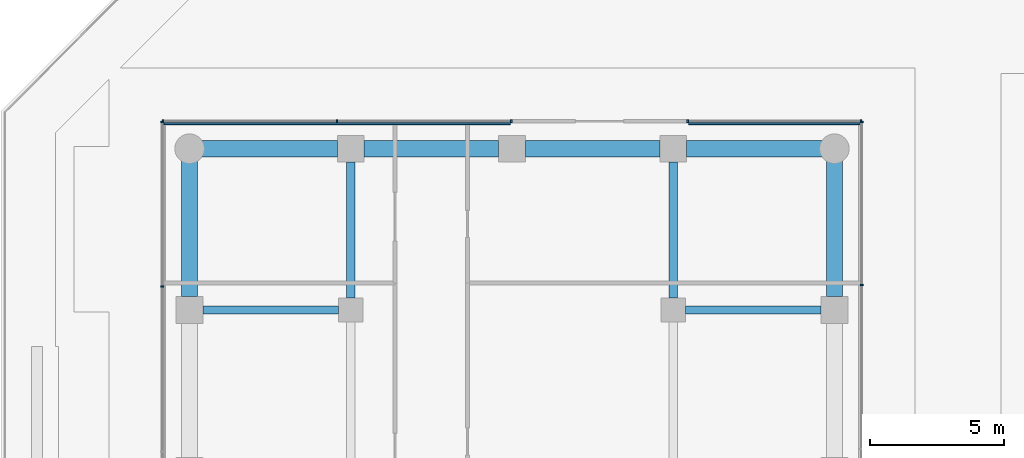
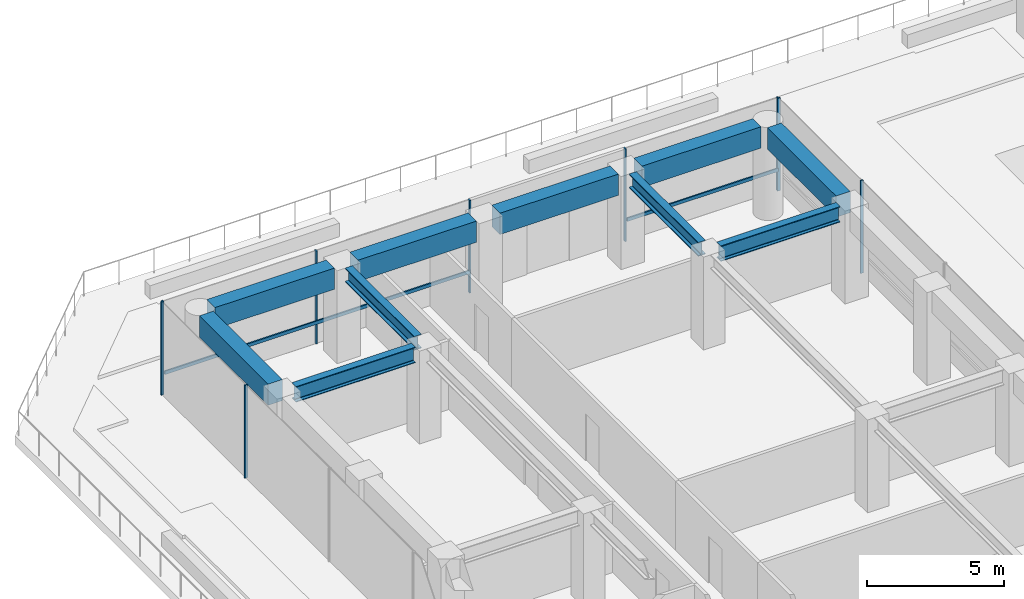
# One storey, part 21 of 31: 11 members, 10 beams, 4 elements without a shape of their own.
"""IFC4 building model written with IfcOpenShell, lengths in metres."""

from ifc_helpers import new_model, si_unit, direction, frame, origin, origin_2d, place, context, subcontext, project, spatial, rectangle, i_section, extrude, material, layer, layer_set, material_profile, profile_set, type_object, element, aggregate, save


model = new_model("IFC4")

# Units and contexts
model_context = context("Model", 3, precision=1e-05, world=origin(), true_north=direction((0.0, 1.0)))
body_context = subcontext(model_context, "Body", "Model", "MODEL_VIEW")
ifc_project = project(units=[si_unit("LENGTHUNIT", "METRE"), si_unit("AREAUNIT", "SQUARE_METRE"), si_unit("VOLUMEUNIT", "CUBIC_METRE"), si_unit("PLANEANGLEUNIT", "RADIAN"), si_unit("MASSUNIT", "GRAM", prefix="KILO")], contexts=[model_context])

# Site, building, storey
site_placement = place(None, origin())
site = spatial("IfcSite", under=ifc_project, at=site_placement, CompositionType="ELEMENT")
building_placement = place(site_placement, origin())
building = spatial("IfcBuilding", under=site, at=building_placement, Name="Welwitschia Terrace Campus", CompositionType="ELEMENT")
storey_placement = place(building_placement, frame((0.0, 0.0, 11.0)))
storey = spatial("IfcBuildingStorey", under=building, at=storey_placement, Name="L02", CompositionType="ELEMENT", Elevation=11.0)

# Beams
ifc_material_1 = material(Name="Steel S355", Category="steel")
ifc_material_profile_1 = material_profile(ifc_material_1, i_section(OverallWidth=0.304931640625, OverallDepth=0.6201171875, WebThickness=0.02099609375, FlangeThickness=0.0400390625, FilletRadius=0.027099609375, at=origin_2d()))
ifc_profile_set_1 = profile_set([ifc_material_profile_1], Name="Steel S355")
beam_type_1 = type_object("IfcBeamType", Name="Interior girder HE 600 M", PredefinedType="BEAM", material=ifc_profile_set_1)
for number, where, z_axis, x_axis, name in (
    (1, (6.0, 56.450439453125, 3.840087890625), (0.0, 1.0, 0.0), (-1.0, 0.0, 0.0), "Girder GB1"),
    (2, (18.0, 56.450439453125, 3.840087890625), (0.0, 1.0, 0.0), (-1.0, 0.0, 0.0), "Girder GB1"),
):
    element("IfcBeam", number, at=place(storey_placement, frame(where, z_axis=z_axis, x_axis=x_axis)), inside=storey, type_object=beam_type_1, Name=name, PredefinedType="BEAM", context=body_context, shape_type="SweptSolid", body=[
        extrude(i_section(OverallWidth=0.304931640625, OverallDepth=0.6201171875, WebThickness=0.02099609375, FlangeThickness=0.0400390625, FilletRadius=0.027099609375, at=origin_2d()), origin(), (0.0, 0.0, 1.0), 5.05908203125),
    ])

# Curtain wall, members
ifc_material_2 = material(Name="Bronze anodised aluminium", Category="aluminium")
ifc_layer = layer(ifc_material_2, 0.1201171875)
ifc_layer_set = layer_set([ifc_layer], Name="Bronze anodised aluminium")
curtain_wall_type = type_object("IfcCurtainWallType", Name="Curtain wall CW2 tower 6000", PredefinedType="NOTDEFINED", material=ifc_layer_set)
curtain_wall_1_placement = place(storey_placement, origin())
curtain_wall_1 = element("IfcCurtainWall", 3, at=curtain_wall_1_placement, inside=storey, type_object=curtain_wall_type, Name="CW L02.7.0", PredefinedType="NOTDEFINED")
ifc_material_3 = material(Name="Bronze anodised aluminium", Category="aluminium")
ifc_material_profile_2 = material_profile(ifc_material_3, rectangle(XDim=0.1201171875, YDim=0.06005859375, at=origin_2d()))
ifc_profile_set_2 = profile_set([ifc_material_profile_2], Name="Bronze anodised aluminium")
member_type_1 = type_object("IfcMemberType", Name="Mullion 60x120", PredefinedType="MULLION", material=ifc_profile_set_2)
member_1_placement = place(storey_placement, frame((25.02001953125, 56.92041015625, 0.0), z_axis=(0.0, 0.0, 1.0), x_axis=(-1.0, 0.0, 0.0)))
member_1 = element("IfcMember", 4, at=member_1_placement, type_object=member_type_1, Name="Mullion L02.7.0.5", PredefinedType="MULLION", context=body_context, shape_type="SweptSolid", body=[
    extrude(rectangle(XDim=0.1201171875, YDim=0.06005859375, at=origin_2d()), origin(), (0.0, 0.0, 1.0), 4.14990234375),
])
member_2_placement = place(storey_placement, frame((25.02001953125, 62.989990234375, 0.0), z_axis=(0.0, 0.0, 1.0), x_axis=(-1.0, 0.0, 0.0)))
member_2 = element("IfcMember", 5, at=member_2_placement, type_object=member_type_1, Name="Mullion L02.7.0.6", PredefinedType="MULLION", context=body_context, shape_type="SweptSolid", body=[
    extrude(rectangle(XDim=0.1201171875, YDim=0.06005859375, at=origin_2d()), origin(), (0.0, 0.0, 1.0), 4.14990234375),
])
aggregate(curtain_wall_1, [member_1, member_2])

curtain_wall_2_placement = place(storey_placement, origin())
curtain_wall_2 = element("IfcCurtainWall", 6, at=curtain_wall_2_placement, inside=storey, type_object=curtain_wall_type, Name="CW L02.8.0", PredefinedType="NOTDEFINED")
member_3_placement = place(storey_placement, frame((24.989990234375, 63.02001953125, 0.0), z_axis=(0.0, 0.0, 1.0), x_axis=(0.0, -1.0, 0.0)))
member_3 = element("IfcMember", 7, at=member_3_placement, type_object=member_type_1, Name="Mullion L02.8.0.0", PredefinedType="MULLION", context=body_context, shape_type="SweptSolid", body=[
    extrude(rectangle(XDim=0.1201171875, YDim=0.06005859375, at=origin_2d()), origin(), (0.0, 0.0, 1.0), 4.14990234375),
])
member_4_placement = place(storey_placement, frame((18.5400390625, 63.02001953125, 0.0), z_axis=(0.0, 0.0, 1.0), x_axis=(0.0, -1.0, 0.0)))
member_4 = element("IfcMember", 8, at=member_4_placement, type_object=member_type_1, Name="Mullion L02.8.0.1", PredefinedType="MULLION", context=body_context, shape_type="SweptSolid", body=[
    extrude(rectangle(XDim=0.1201171875, YDim=0.06005859375, at=origin_2d()), origin(), (0.0, 0.0, 1.0), 4.14990234375),
])

curtain_wall_3_placement = place(storey_placement, origin())
curtain_wall_3 = element("IfcCurtainWall", 9, at=curtain_wall_3_placement, inside=storey, type_object=curtain_wall_type, Name="CW L02.8.2", PredefinedType="NOTDEFINED")
member_5_placement = place(storey_placement, frame((11.969970703125, 63.02001953125, 0.0), z_axis=(0.0, 0.0, 1.0), x_axis=(0.0, -1.0, 0.0)))
member_5 = element("IfcMember", 10, at=member_5_placement, type_object=member_type_1, Name="Mullion L02.8.2.0", PredefinedType="MULLION", context=body_context, shape_type="SweptSolid", body=[
    extrude(rectangle(XDim=0.1201171875, YDim=0.06005859375, at=origin_2d()), origin(), (0.0, 0.0, 1.0), 4.14990234375),
])
member_6_placement = place(storey_placement, frame((5.489990234375, 63.02001953125, 0.0), z_axis=(0.0, 0.0, 1.0), x_axis=(0.0, -1.0, 0.0)))
member_6 = element("IfcMember", 11, at=member_6_placement, type_object=member_type_1, Name="Mullion L02.8.2.1", PredefinedType="MULLION", context=body_context, shape_type="SweptSolid", body=[
    extrude(rectangle(XDim=0.1201171875, YDim=0.06005859375, at=origin_2d()), origin(), (0.0, 0.0, 1.0), 4.14990234375),
])
member_7_placement = place(storey_placement, frame((-0.989990234375, 63.02001953125, 0.0), z_axis=(0.0, 0.0, 1.0), x_axis=(0.0, -1.0, 0.0)))
member_7 = element("IfcMember", 12, at=member_7_placement, type_object=member_type_1, Name="Mullion L02.8.2.2", PredefinedType="MULLION", context=body_context, shape_type="SweptSolid", body=[
    extrude(rectangle(XDim=0.1201171875, YDim=0.06005859375, at=origin_2d()), origin(), (0.0, 0.0, 1.0), 4.14990234375),
])

curtain_wall_4_placement = place(storey_placement, origin())
curtain_wall_4 = element("IfcCurtainWall", 13, at=curtain_wall_4_placement, inside=storey, type_object=curtain_wall_type, Name="CW L02.9.0", PredefinedType="NOTDEFINED")
member_8_placement = place(storey_placement, frame((-1.02001953125, 62.989990234375, 0.0), z_axis=(0.0, 0.0, 1.0), x_axis=(1.0, 0.0, 0.0)))
member_8 = element("IfcMember", 14, at=member_8_placement, type_object=member_type_1, Name="Mullion L02.9.0.0", PredefinedType="MULLION", context=body_context, shape_type="SweptSolid", body=[
    extrude(rectangle(XDim=0.1201171875, YDim=0.06005859375, at=origin_2d()), origin(), (0.0, 0.0, 1.0), 4.14990234375),
])
member_9_placement = place(storey_placement, frame((-1.02001953125, 56.875732421875, 0.0), z_axis=(0.0, 0.0, 1.0), x_axis=(1.0, 0.0, 0.0)))
member_9 = element("IfcMember", 15, at=member_9_placement, type_object=member_type_1, Name="Mullion L02.9.0.1", PredefinedType="MULLION", context=body_context, shape_type="SweptSolid", body=[
    extrude(rectangle(XDim=0.1201171875, YDim=0.06005859375, at=origin_2d()), origin(), (0.0, 0.0, 1.0), 4.14990234375),
])
aggregate(curtain_wall_4, [member_8, member_9])

# Beams
ifc_material_4 = material(Name="Steel S355", Category="steel")
ifc_material_profile_3 = material_profile(ifc_material_4, i_section(OverallWidth=0.300048828125, OverallDepth=0.699951171875, WebThickness=0.01708984375, FlangeThickness=0.031982421875, FilletRadius=0.027099609375, at=origin_2d()))
ifc_profile_set_3 = profile_set([ifc_material_profile_3], Name="Steel S355")
beam_type_2 = type_object("IfcBeamType", Name="Primary beam HE 700 B", PredefinedType="BEAM", material=ifc_profile_set_3)
for number, where, z_axis, x_axis, name in (
    (16, (23.49951171875, 56.0, 3.800048828125), (-1.0, 0.0, 0.0), (0.0, -1.0, 0.0), "Primary beam PB1"),
    (17, (0.50048828125, 56.0, 3.800048828125), (1.0, 0.0, 0.0), (0.0, 1.0, 0.0), "Primary beam PB1"),
):
    element("IfcBeam", number, at=place(storey_placement, frame(where, z_axis=z_axis, x_axis=x_axis)), inside=storey, type_object=beam_type_2, Name=name, PredefinedType="BEAM", context=body_context, shape_type="SweptSolid", body=[
        extrude(i_section(OverallWidth=0.300048828125, OverallDepth=0.699951171875, WebThickness=0.01708984375, FlangeThickness=0.031982421875, FilletRadius=0.027099609375, at=origin_2d()), origin(), (0.0, 0.0, 1.0), 5.049072265625),
    ])
ifc_material_5 = material(Name="Concrete C60/75", Category="concrete")
ifc_material_profile_4 = material_profile(ifc_material_5, rectangle(XDim=0.60009765625, YDim=0.949951171875, at=origin_2d()))
ifc_profile_set_4 = profile_set([ifc_material_profile_4], Name="Concrete C60/75")
beam_type_3 = type_object("IfcBeamType", Name="Ring spandrel 600x950", PredefinedType="SPANDREL", material=ifc_profile_set_4)
for number, where, z_axis, x_axis, name in (
    (18, (24.0, 56.50048828125, 3.675048828125), (0.0, 1.0, 0.0), (-1.0, 0.0, 0.0), "Spandrel SP1"),
    (19, (23.53857421875, 62.0, 3.675048828125), (-1.0, 0.0, 0.0), (0.0, -1.0, 0.0), "Spandrel SP1"),
):
    element("IfcBeam", number, at=place(storey_placement, frame(where, z_axis=z_axis, x_axis=x_axis)), inside=storey, type_object=beam_type_3, Name=name, PredefinedType="SPANDREL", context=body_context, shape_type="SweptSolid", body=[
        extrude(rectangle(XDim=0.60009765625, YDim=0.949951171875, at=origin_2d()), origin(), (0.0, 0.0, 1.0), 5.0380859375),
    ])
for number, where, z_axis, x_axis, name in (
    (20, (17.49951171875, 62.0, 3.675048828125), (-1.0, 0.0, 0.0), (0.0, -1.0, 0.0), "Spandrel SP1"),
    (21, (11.49951171875, 62.0, 3.675048828125), (-1.0, 0.0, 0.0), (0.0, -1.0, 0.0), "Spandrel SP1"),
):
    element("IfcBeam", number, at=place(storey_placement, frame(where, z_axis=z_axis, x_axis=x_axis)), inside=storey, type_object=beam_type_3, Name=name, PredefinedType="SPANDREL", context=body_context, shape_type="SweptSolid", body=[
        extrude(rectangle(XDim=0.60009765625, YDim=0.949951171875, at=origin_2d()), origin(), (0.0, 0.0, 1.0), 4.9990234375),
    ])
for number, where, z_axis, x_axis, name in (
    (22, (5.49951171875, 62.0, 3.675048828125), (-1.0, 0.0, 0.0), (0.0, -1.0, 0.0), "Spandrel SP1"),
    (23, (0.0, 61.53857421875, 3.675048828125), (0.0, -1.0, 0.0), (1.0, 0.0, 0.0), "Spandrel SP1"),
):
    element("IfcBeam", number, at=place(storey_placement, frame(where, z_axis=z_axis, x_axis=x_axis)), inside=storey, type_object=beam_type_3, Name=name, PredefinedType="SPANDREL", context=body_context, shape_type="SweptSolid", body=[
        extrude(rectangle(XDim=0.60009765625, YDim=0.949951171875, at=origin_2d()), origin(), (0.0, 0.0, 1.0), 5.0380859375),
    ])

# Member
ifc_material_6 = material(Name="Bronze anodised aluminium", Category="aluminium")
ifc_material_profile_5 = material_profile(ifc_material_6, rectangle(XDim=0.06005859375, YDim=0.14990234375, at=origin_2d()))
ifc_profile_set_5 = profile_set([ifc_material_profile_5], Name="Bronze anodised aluminium")
member_type_2 = type_object("IfcMemberType", Name="Transom 60x150", PredefinedType="USERDEFINED", material=ifc_profile_set_5)
member_10_placement = place(storey_placement, frame((24.9599609375, 62.929931640625, 1.0), z_axis=(-1.0, 0.0, 0.0), x_axis=(0.0, -1.0, 0.0)))
member_10 = element("IfcMember", 24, at=member_10_placement, type_object=member_type_2, Name="Transom L02.8.0", ObjectType="TRANSOM", PredefinedType="USERDEFINED", context=body_context, shape_type="SweptSolid", body=[
    extrude(rectangle(XDim=0.06005859375, YDim=0.14990234375, at=origin_2d()), origin(), (0.0, 0.0, 1.0), 6.389892578125),
])

aggregate(curtain_wall_2, [member_3, member_4, member_10])

member_11_placement = place(storey_placement, frame((11.93994140625, 62.929931640625, 1.0), z_axis=(-1.0, 0.0, 0.0), x_axis=(0.0, -1.0, 0.0)))
member_11 = element("IfcMember", 25, at=member_11_placement, type_object=member_type_2, Name="Transom L02.8.2", ObjectType="TRANSOM", PredefinedType="USERDEFINED", context=body_context, shape_type="SweptSolid", body=[
    extrude(rectangle(XDim=0.06005859375, YDim=0.14990234375, at=origin_2d()), origin(), (0.0, 0.0, 1.0), 12.89990234375),
])

aggregate(curtain_wall_3, [member_5, member_6, member_7, member_11])

save(model, "model.ifc")
